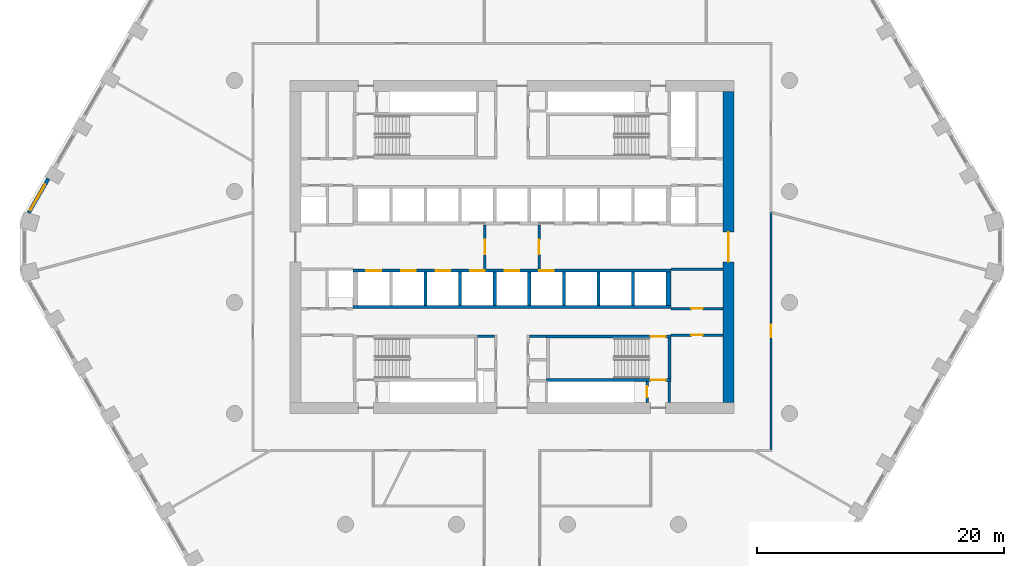
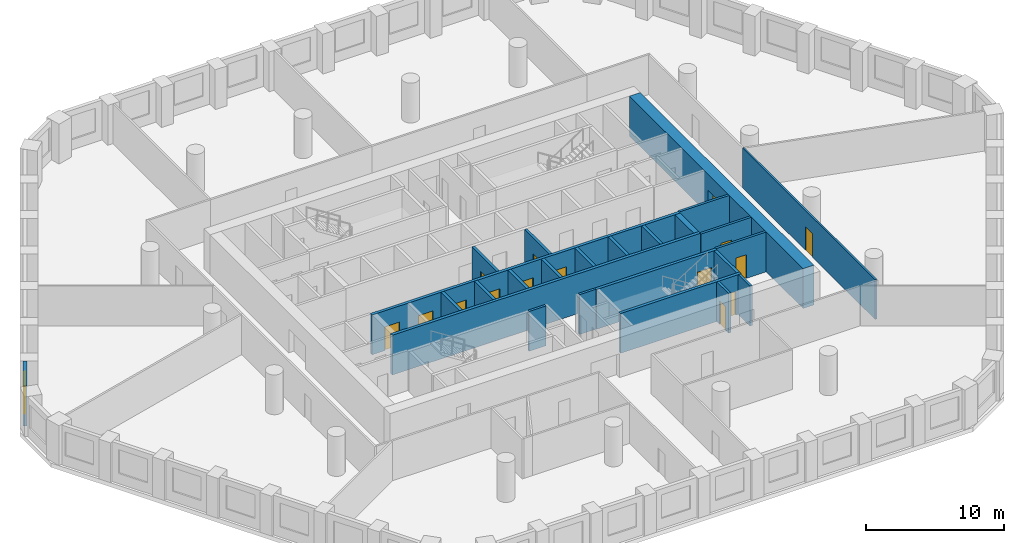
# One storey, part 4 of 9: 25 walls, 15 doors, 1 window, 16 openings.
"""IFC4 building model written with IfcOpenShell, lengths in metres."""

from ifc_helpers import new_model, si_unit, direction, frame, frame_2d, origin, place, context, subcontext, project, spatial, polyline, rectangle, outline, extrude, material, layer, layer_set, type_object, element, fill, save


model = new_model("IFC4")

# Units and contexts
model_context = context("Model", 3, precision=1e-05, world=origin(), true_north=direction((0.0, 1.0)))
body_context = subcontext(model_context, "Body", "Model", "MODEL_VIEW")
ifc_project = project(units=[si_unit("LENGTHUNIT", "METRE"), si_unit("AREAUNIT", "SQUARE_METRE"), si_unit("VOLUMEUNIT", "CUBIC_METRE"), si_unit("PLANEANGLEUNIT", "RADIAN"), si_unit("MASSUNIT", "GRAM", prefix="KILO")], contexts=[model_context])

# Site, building, storey
site_placement = place(None, origin())
site = spatial("IfcSite", under=ifc_project, at=site_placement, CompositionType="ELEMENT")
building_placement = place(site_placement, origin())
building = spatial("IfcBuilding", under=site, at=building_placement, Name="Dhurran Vertical Campus", CompositionType="ELEMENT")
storey_placement = place(building_placement, frame((0.0, 0.0, 120.300048828125)))
storey = spatial("IfcBuildingStorey", under=building, at=storey_placement, Name="L29", CompositionType="ELEMENT", Elevation=120.300048828125)

# Wall, opening, window
ifc_material_1 = material(Name="Precast concrete C50/60", Category="concrete")
ifc_layer_1 = layer(ifc_material_1, 0.300048828125)
ifc_layer_set_1 = layer_set([ifc_layer_1], Name="Precast concrete C50/60")
wall_type_1 = type_object("IfcWallType", Name="Precast spandrel wall 300", PredefinedType="SOLIDWALL", material=ifc_layer_set_1)
wall_1_placement = place(storey_placement, frame((-37.59423828125, 5.538818359375, 0.0), z_axis=(0.0, 0.0, 1.0), x_axis=(-0.500004907028, -0.866022570692, 0.0)))
wall_1 = element("IfcWall", 1, at=wall_1_placement, inside=storey, type_object=wall_type_1, Name="EW1 L29.42", PredefinedType="SOLIDWALL", context=body_context, shape_type="SweptSolid", body=[
    extrude(rectangle(XDim=3.1923828125, YDim=0.300048828125, at=frame_2d((1.59619140625, 0.0))), origin(), (0.0, 0.0, 1.0), 3.52490234375),
])
opening_1_placement = place(wall_1_placement, frame((0.549560546875, 0.0, 0.89990234375)))
opening_1 = element("IfcOpeningElement", 2, at=opening_1_placement, cuts=wall_1, Name="Opening WT1", PredefinedType="OPENING", context=body_context, shape_type="SweptSolid", body=[
    extrude(rectangle(XDim=2.39990234375, YDim=2.10009765625, at=frame_2d((1.199951171875, 1.050048828125))), frame((0.0, 0.159912109375, 0.0), z_axis=(0.0, -1.0, 0.0), x_axis=(1.0, 0.0, 0.0)), (0.0, 0.0, 1.0), 0.320068359375),
])
ifc_material_2 = material(Name="Aluminium frame with solar-control glass", Category="aluminium")
window_type = type_object("IfcWindowType", Name="Punched window 2400 x 2100", PartitioningType="SINGLE_PANEL", PredefinedType="WINDOW", material=ifc_material_2)
window_placement = place(opening_1_placement, origin())
window = element("IfcWindow", 3, at=window_placement, inside=storey, type_object=window_type, Name="WT1 L29.42", OverallHeight=2.10009765625, OverallWidth=2.39990234375, PartitioningType="SINGLE_PANEL", PredefinedType="WINDOW", context=body_context, shape_type="SweptSolid", body=[
    extrude(rectangle(XDim=2.39990234375, YDim=2.10009765625, at=frame_2d((1.199951171875, 1.050048828125))), frame((0.0, 0.030029296875, 0.0), z_axis=(0.0, -1.0, 0.0), x_axis=(1.0, 0.0, 0.0)), (0.0, 0.0, 1.0), 0.06005859375),
])
fill(opening_1, window)

# Wall, opening, door
ifc_material_3 = material(Name="Concrete C60/75", Category="concrete")
ifc_layer_2 = layer(ifc_material_3, 0.89990234375)
ifc_layer_set_2 = layer_set([ifc_layer_2], Name="Concrete C60/75")
wall_type_2 = type_object("IfcWallType", Name="co-CORE-WALL-C0-900", PredefinedType="SHEAR", material=ifc_layer_set_2)
wall_2_placement = place(storey_placement, frame((17.550048828125, -12.60009765625, 0.0), z_axis=(0.0, 0.0, 1.0), x_axis=(0.0, 1.0, 0.0)))
wall_2 = element("IfcWall", 4, at=wall_2_placement, inside=storey, type_object=wall_type_2, Name="Core wall E L29", PredefinedType="SHEAR", context=body_context, shape_type="SweptSolid", body=[
    extrude(rectangle(XDim=25.2001953125, YDim=0.89990234375, at=frame_2d((12.60009765625, 0.0))), origin(), (0.0, 0.0, 1.0), 3.52490234375),
])
opening_2_placement = place(wall_2_placement, frame((11.39990234375, 0.0, 0.0)))
opening_2 = element("IfcOpeningElement", 5, at=opening_2_placement, cuts=wall_2, Name="Opening CL2", PredefinedType="OPENING", context=body_context, shape_type="SweptSolid", body=[
    extrude(rectangle(XDim=2.39990234375, YDim=2.10009765625, at=frame_2d((1.199951171875, 1.050048828125))), frame((0.0, 0.4599609375, 0.0), z_axis=(0.0, -1.0, 0.0), x_axis=(1.0, 0.0, 0.0)), (0.0, 0.0, 1.0), 0.919921875),
])
ifc_material_4 = material(Name="Fire-rated glazed door set")
door_type_1 = type_object("IfcDoorType", Name="co-D-LOBBY 2400x2100", OperationType="DOUBLE_DOOR_DOUBLE_SWING", PredefinedType="DOOR", material=ifc_material_4)
door_1_placement = place(opening_2_placement, origin())
door_1 = element("IfcDoor", 6, at=door_1_placement, inside=storey, type_object=door_type_1, Name="Lift lobby door E L29", OperationType="DOUBLE_DOOR_DOUBLE_SWING", OverallHeight=2.10009765625, OverallWidth=2.39990234375, PredefinedType="DOOR", context=body_context, shape_type="SweptSolid", body=[
    extrude(rectangle(XDim=2.39990234375, YDim=2.10009765625, at=frame_2d((1.199951171875, 1.050048828125))), frame((0.0, 0.02490234375, 0.0), z_axis=(0.0, -1.0, 0.0), x_axis=(1.0, 0.0, 0.0)), (0.0, 0.0, 1.0), 0.050048828125),
])
fill(opening_2, door_1)

ifc_material_5 = material(Name="Fire-rated masonry blockwork", Category="masonry")
ifc_layer_3 = layer(ifc_material_5, 0.199951171875)
ifc_layer_set_3 = layer_set([ifc_layer_3], Name="Fire-rated masonry blockwork")
wall_type_3 = type_object("IfcWallType", Name="co-FIRE-PARTITION-200", PredefinedType="PARTITIONING", material=ifc_layer_set_3)
wall_3_placement = place(storey_placement, frame((-2.199951171875, -1.800048828125, 0.0), z_axis=(0.0, 0.0, 1.0), x_axis=(0.0, 1.0, 0.0)))
wall_3 = element("IfcWall", 7, at=wall_3_placement, inside=storey, type_object=wall_type_3, Name="Firefighting lobby wall W L29", PredefinedType="PARTITIONING", context=body_context, shape_type="SweptSolid", body=[
    extrude(rectangle(XDim=3.60009765625, YDim=0.199951171875, at=frame_2d((1.800048828125, 0.0))), origin(), (0.0, 0.0, 1.0), 3.52490234375),
])
opening_3_placement = place(wall_3_placement, frame((1.199951171875, 0.0, 0.0)))
opening_3 = element("IfcOpeningElement", 8, at=opening_3_placement, cuts=wall_3, Name="Opening FL1", PredefinedType="OPENING", context=body_context, shape_type="SweptSolid", body=[
    extrude(rectangle(XDim=1.199951171875, YDim=2.10009765625, at=frame_2d((0.60009765625, 1.050048828125))), frame((0.0, 0.10986328125, 0.0), z_axis=(0.0, -1.0, 0.0), x_axis=(1.0, 0.0, 0.0)), (0.0, 0.0, 1.0), 0.219970703125),
])
ifc_material_6 = material(Name="Fire-rated steel door set", Category="steel")
door_type_2 = type_object("IfcDoorType", Name="co-D-FFLOBBY 1200x2100", OperationType="SINGLE_SWING_LEFT", PredefinedType="DOOR", material=ifc_material_6)
door_2_placement = place(opening_3_placement, origin())
door_2 = element("IfcDoor", 9, at=door_2_placement, inside=storey, type_object=door_type_2, Name="Firefighting lobby door W L29", OperationType="SINGLE_SWING_LEFT", OverallHeight=2.10009765625, OverallWidth=1.199951171875, PredefinedType="DOOR", context=body_context, shape_type="SweptSolid", body=[
    extrude(rectangle(XDim=1.199951171875, YDim=2.10009765625, at=frame_2d((0.60009765625, 1.050048828125))), frame((0.0, 0.02490234375, 0.0), z_axis=(0.0, -1.0, 0.0), x_axis=(1.0, 0.0, 0.0)), (0.0, 0.0, 1.0), 0.050048828125),
])
fill(opening_3, door_2)

wall_4_placement = place(storey_placement, frame((2.199951171875, -1.800048828125, 0.0), z_axis=(0.0, 0.0, 1.0), x_axis=(0.0, 1.0, 0.0)))
wall_4 = element("IfcWall", 10, at=wall_4_placement, inside=storey, type_object=wall_type_3, Name="Firefighting lobby wall E L29", PredefinedType="PARTITIONING", context=body_context, shape_type="SweptSolid", body=[
    extrude(rectangle(XDim=3.60009765625, YDim=0.199951171875, at=frame_2d((1.800048828125, 0.0))), origin(), (0.0, 0.0, 1.0), 3.52490234375),
])
opening_4_placement = place(wall_4_placement, frame((1.199951171875, 0.0, 0.0)))
opening_4 = element("IfcOpeningElement", 11, at=opening_4_placement, cuts=wall_4, Name="Opening FL2", PredefinedType="OPENING", context=body_context, shape_type="SweptSolid", body=[
    extrude(rectangle(XDim=1.199951171875, YDim=2.10009765625, at=frame_2d((0.60009765625, 1.050048828125))), frame((0.0, 0.10986328125, 0.0), z_axis=(0.0, -1.0, 0.0), x_axis=(1.0, 0.0, 0.0)), (0.0, 0.0, 1.0), 0.219970703125),
])
door_3_placement = place(opening_4_placement, origin())
door_3 = element("IfcDoor", 12, at=door_3_placement, inside=storey, type_object=door_type_2, Name="Firefighting lobby door E L29", OperationType="SINGLE_SWING_LEFT", OverallHeight=2.10009765625, OverallWidth=1.199951171875, PredefinedType="DOOR", context=body_context, shape_type="SweptSolid", body=[
    extrude(rectangle(XDim=1.199951171875, YDim=2.10009765625, at=frame_2d((0.60009765625, 1.050048828125))), frame((0.0, 0.02490234375, 0.0), z_axis=(0.0, -1.0, 0.0), x_axis=(1.0, 0.0, 0.0)), (0.0, 0.0, 1.0), 0.050048828125),
])
fill(opening_4, door_3)

# Walls
for number, where, z_axis, x_axis, name in (
    (13, (-2.800048828125, -7.25, 0.0), (0.0, 0.0, 1.0), (1.0, 0.0, 0.0), "Core partition sl-SW-S L29"),
    (14, (1.39990234375, -7.25, 0.0), (0.0, 0.0, 1.0), (1.0, 0.0, 0.0), "Core partition sl-SE-S L29"),
):
    element("IfcWall", number, at=place(storey_placement, frame(where, z_axis=z_axis, x_axis=x_axis)), inside=storey, type_object=wall_type_3, Name=name, PredefinedType="PARTITIONING", context=body_context, shape_type="SweptSolid", body=[
        extrude(rectangle(XDim=1.400146484375, YDim=0.199951171875, at=frame_2d((0.7001953125, 0.0))), origin(), (0.0, 0.0, 1.0), 3.52490234375),
    ])
wall_5_placement = place(storey_placement, frame((12.75, -12.60009765625, 0.0), z_axis=(0.0, 0.0, 1.0), x_axis=(0.0, 1.0, 0.0)))
element("IfcWall", 15, at=wall_5_placement, inside=storey, type_object=wall_type_3, Name="Core partition pass-ST4-o L29", PredefinedType="PARTITIONING", context=body_context, shape_type="SweptSolid", body=[
    extrude(rectangle(XDim=1.7001953125, YDim=0.199951171875, at=frame_2d((0.85009765625, 0.0))), origin(), (0.0, 0.0, 1.0), 3.52490234375),
])

# Wall, opening, door
wall_6_placement = place(storey_placement, frame((10.949951171875, -12.60009765625, 0.0), z_axis=(0.0, 0.0, 1.0), x_axis=(0.0, 1.0, 0.0)))
wall_6 = element("IfcWall", 16, at=wall_6_placement, inside=storey, type_object=wall_type_3, Name="Core partition pass-ST4-i L29", PredefinedType="PARTITIONING", context=body_context, shape_type="SweptSolid", body=[
    extrude(rectangle(XDim=1.7001953125, YDim=0.199951171875, at=frame_2d((0.85009765625, 0.0))), origin(), (0.0, 0.0, 1.0), 3.52490234375),
])
opening_5_placement = place(wall_6_placement, frame((0.39990234375, 0.0, 0.0)))
opening_5 = element("IfcOpeningElement", 17, at=opening_5_placement, cuts=wall_6, Name="Opening T08-C12", PredefinedType="OPENING", context=body_context, shape_type="SweptSolid", body=[
    extrude(rectangle(XDim=0.89990234375, YDim=2.10009765625, at=frame_2d((0.449951171875, 1.050048828125))), frame((0.0, 0.10986328125, 0.0), z_axis=(0.0, -1.0, 0.0), x_axis=(1.0, 0.0, 0.0)), (0.0, 0.0, 1.0), 0.219970703125),
])
ifc_material_7 = material(Name="Fire-rated timber door set", Category="wood")
door_type_3 = type_object("IfcDoorType", Name="co-D-ROOM 900x2100", OperationType="SINGLE_SWING_LEFT", PredefinedType="DOOR", material=ifc_material_7)
door_4_placement = place(opening_5_placement, origin())
door_4 = element("IfcDoor", 18, at=door_4_placement, inside=storey, type_object=door_type_3, Name="Riser room door L29", OperationType="SINGLE_SWING_LEFT", OverallHeight=2.10009765625, OverallWidth=0.89990234375, PredefinedType="DOOR", context=body_context, shape_type="SweptSolid", body=[
    extrude(rectangle(XDim=0.89990234375, YDim=2.10009765625, at=frame_2d((0.449951171875, 1.050048828125))), frame((0.0, 0.02490234375, 0.0), z_axis=(0.0, -1.0, 0.0), x_axis=(1.0, 0.0, 0.0)), (0.0, 0.0, 1.0), 0.050048828125),
])
fill(opening_5, door_4)

wall_7_placement = place(storey_placement, frame((12.89990234375, -7.14990234375, 0.0), z_axis=(0.0, 0.0, 1.0), x_axis=(1.0, 0.0, 0.0)))
wall_7 = element("IfcWall", 19, at=wall_7_placement, inside=storey, type_object=wall_type_3, Name="Core partition en-SE-w L29", PredefinedType="PARTITIONING", context=body_context, shape_type="SweptSolid", body=[
    extrude(rectangle(XDim=4.2001953125, YDim=0.199951171875, at=frame_2d((2.10009765625, 0.0))), origin(), (0.0, 0.0, 1.0), 3.52490234375),
])
opening_6_placement = place(wall_7_placement, frame((1.64990234375, 0.0, 0.0)))
opening_6 = element("IfcOpeningElement", 20, at=opening_6_placement, cuts=wall_7, Name="Opening T08-C24", PredefinedType="OPENING", context=body_context, shape_type="SweptSolid", body=[
    extrude(rectangle(XDim=0.89990234375, YDim=2.10009765625, at=frame_2d((0.449951171875, 1.050048828125))), frame((0.0, 0.10986328125, 0.0), z_axis=(0.0, -1.0, 0.0), x_axis=(1.0, 0.0, 0.0)), (0.0, 0.0, 1.0), 0.219970703125),
])
door_5_placement = place(opening_6_placement, origin())
door_5 = element("IfcDoor", 21, at=door_5_placement, inside=storey, type_object=door_type_3, Name="Waste room door L29", OperationType="SINGLE_SWING_LEFT", OverallHeight=2.10009765625, OverallWidth=0.89990234375, PredefinedType="DOOR", context=body_context, shape_type="SweptSolid", body=[
    extrude(rectangle(XDim=0.89990234375, YDim=2.10009765625, at=frame_2d((0.449951171875, 1.050048828125))), frame((0.0, 0.02490234375, 0.0), z_axis=(0.0, -1.0, 0.0), x_axis=(1.0, 0.0, 0.0)), (0.0, 0.0, 1.0), 0.050048828125),
])
fill(opening_6, door_5)

wall_8_placement = place(storey_placement, frame((12.89990234375, -5.0, 0.0), z_axis=(0.0, 0.0, 1.0), x_axis=(1.0, 0.0, 0.0)))
wall_8 = element("IfcWall", 22, at=wall_8_placement, inside=storey, type_object=wall_type_3, Name="Core partition es-SE-w L29", PredefinedType="PARTITIONING", context=body_context, shape_type="SweptSolid", body=[
    extrude(rectangle(XDim=4.2001953125, YDim=0.199951171875, at=frame_2d((2.10009765625, 0.0))), origin(), (0.0, 0.0, 1.0), 3.52490234375),
])
opening_7_placement = place(wall_8_placement, frame((1.64990234375, 0.0, 0.0)))
opening_7 = element("IfcOpeningElement", 23, at=opening_7_placement, cuts=wall_8, Name="Opening T08-C25", PredefinedType="OPENING", context=body_context, shape_type="SweptSolid", body=[
    extrude(rectangle(XDim=0.89990234375, YDim=2.10009765625, at=frame_2d((0.449951171875, 1.050048828125))), frame((0.0, 0.10986328125, 0.0), z_axis=(0.0, -1.0, 0.0), x_axis=(1.0, 0.0, 0.0)), (0.0, 0.0, 1.0), 0.219970703125),
])
door_6_placement = place(opening_7_placement, origin())
door_6 = element("IfcDoor", 24, at=door_6_placement, inside=storey, type_object=door_type_3, Name="Store door L29", OperationType="SINGLE_SWING_LEFT", OverallHeight=2.10009765625, OverallWidth=0.89990234375, PredefinedType="DOOR", context=body_context, shape_type="SweptSolid", body=[
    extrude(rectangle(XDim=0.89990234375, YDim=2.10009765625, at=frame_2d((0.449951171875, 1.050048828125))), frame((0.0, 0.02490234375, 0.0), z_axis=(0.0, -1.0, 0.0), x_axis=(1.0, 0.0, 0.0)), (0.0, 0.0, 1.0), 0.050048828125),
])
fill(opening_7, door_6)

# Wall
wall_9_placement = place(storey_placement, frame((12.89990234375, -1.800048828125, 0.0), z_axis=(0.0, 0.0, 1.0), x_axis=(1.0, 0.0, 0.0)))
element("IfcWall", 25, at=wall_9_placement, inside=storey, type_object=wall_type_3, Name="Core partition es-SE-l L29", PredefinedType="PARTITIONING", context=body_context, shape_type="SweptSolid", body=[
    extrude(rectangle(XDim=4.2001953125, YDim=0.199951171875, at=frame_2d((2.10009765625, 0.0))), origin(), (0.0, 0.0, 1.0), 3.52490234375),
])

# Wall, openings, doors
ifc_material_8 = material(Name="Concrete C50/60", Category="concrete")
ifc_layer_4 = layer(ifc_material_8, 0.25)
ifc_layer_set_4 = layer_set([ifc_layer_4], Name="Concrete C50/60")
wall_type_4 = type_object("IfcWallType", Name="co-SHAFT-FRONT-250", PredefinedType="SHEAR", material=ifc_layer_set_4)
wall_10_placement = place(storey_placement, frame((-12.89990234375, -1.925048828125, 0.0), z_axis=(0.0, 0.0, 1.0), x_axis=(1.0, 0.0, 0.0)))
wall_10 = element("IfcWall", 26, at=wall_10_placement, inside=storey, type_object=wall_type_4, Name="Lift landing wall S L29", PredefinedType="SHEAR", context=body_context, shape_type="SweptSolid", body=[
    extrude(rectangle(XDim=25.7998046875, YDim=0.25, at=frame_2d((12.89990234375, 0.0))), origin(), (0.0, 0.0, 1.0), 3.52490234375),
])
opening_8_placement = place(wall_10_placement, frame((1.10009765625, 0.0, 0.0)))
opening_8 = element("IfcOpeningElement", 27, at=opening_8_placement, cuts=wall_10, Name="Opening LD", PredefinedType="OPENING", context=body_context, shape_type="SweptSolid", body=[
    extrude(rectangle(XDim=1.199951171875, YDim=2.10009765625, at=frame_2d((0.60009765625, 1.050048828125))), frame((0.0, 0.135009765625, 0.0), z_axis=(0.0, -1.0, 0.0), x_axis=(1.0, 0.0, 0.0)), (0.0, 0.0, 1.0), 0.27001953125),
])
opening_9_placement = place(wall_10_placement, frame((3.89990234375, 0.0, 0.0)))
opening_9 = element("IfcOpeningElement", 28, at=opening_9_placement, cuts=wall_10, Name="Opening LD", PredefinedType="OPENING", context=body_context, shape_type="SweptSolid", body=[
    extrude(rectangle(XDim=1.199951171875, YDim=2.10009765625, at=frame_2d((0.60009765625, 1.050048828125))), frame((0.0, 0.135009765625, 0.0), z_axis=(0.0, -1.0, 0.0), x_axis=(1.0, 0.0, 0.0)), (0.0, 0.0, 1.0), 0.27001953125),
])
opening_10_placement = place(wall_10_placement, frame((6.699951171875, 0.0, 0.0)))
opening_10 = element("IfcOpeningElement", 29, at=opening_10_placement, cuts=wall_10, Name="Opening LD", PredefinedType="OPENING", context=body_context, shape_type="SweptSolid", body=[
    extrude(rectangle(XDim=1.199951171875, YDim=2.10009765625, at=frame_2d((0.60009765625, 1.050048828125))), frame((0.0, 0.135009765625, 0.0), z_axis=(0.0, -1.0, 0.0), x_axis=(1.0, 0.0, 0.0)), (0.0, 0.0, 1.0), 0.27001953125),
])
opening_11_placement = place(wall_10_placement, frame((9.5, 0.0, 0.0)))
opening_11 = element("IfcOpeningElement", 30, at=opening_11_placement, cuts=wall_10, Name="Opening LD", PredefinedType="OPENING", context=body_context, shape_type="SweptSolid", body=[
    extrude(rectangle(XDim=1.199951171875, YDim=2.10009765625, at=frame_2d((0.60009765625, 1.050048828125))), frame((0.0, 0.135009765625, 0.0), z_axis=(0.0, -1.0, 0.0), x_axis=(1.0, 0.0, 0.0)), (0.0, 0.0, 1.0), 0.27001953125),
])
opening_12_placement = place(wall_10_placement, frame((12.300048828125, 0.0, 0.0)))
opening_12 = element("IfcOpeningElement", 31, at=opening_12_placement, cuts=wall_10, Name="Opening LD", PredefinedType="OPENING", context=body_context, shape_type="SweptSolid", body=[
    extrude(rectangle(XDim=1.199951171875, YDim=2.10009765625, at=frame_2d((0.60009765625, 1.050048828125))), frame((0.0, 0.135009765625, 0.0), z_axis=(0.0, -1.0, 0.0), x_axis=(1.0, 0.0, 0.0)), (0.0, 0.0, 1.0), 0.27001953125),
])
opening_13_placement = place(wall_10_placement, frame((15.10009765625, 0.0, 0.0)))
opening_13 = element("IfcOpeningElement", 32, at=opening_13_placement, cuts=wall_10, Name="Opening LD", PredefinedType="OPENING", context=body_context, shape_type="SweptSolid", body=[
    extrude(rectangle(XDim=1.199951171875, YDim=2.10009765625, at=frame_2d((0.60009765625, 1.050048828125))), frame((0.0, 0.135009765625, 0.0), z_axis=(0.0, -1.0, 0.0), x_axis=(1.0, 0.0, 0.0)), (0.0, 0.0, 1.0), 0.27001953125),
])
ifc_material_9 = material(Name="Stainless steel landing door", Category="steel")
door_type_4 = type_object("IfcDoorType", Name="co-D-LANDING 1200x2100", OperationType="DOUBLE_DOOR_SLIDING", PredefinedType="DOOR", material=ifc_material_9)
door_7_placement = place(opening_8_placement, origin())
door_7 = element("IfcDoor", 33, at=door_7_placement, inside=storey, type_object=door_type_4, Name="Landing door LR5 L29", OperationType="DOUBLE_DOOR_SLIDING", OverallHeight=2.10009765625, OverallWidth=1.199951171875, PredefinedType="DOOR", context=body_context, shape_type="SweptSolid", body=[
    extrude(rectangle(XDim=1.199951171875, YDim=2.10009765625, at=frame_2d((0.60009765625, 1.050048828125))), frame((0.0, 0.02490234375, 0.0), z_axis=(0.0, -1.0, 0.0), x_axis=(1.0, 0.0, 0.0)), (0.0, 0.0, 1.0), 0.050048828125),
])
fill(opening_8, door_7)
door_8_placement = place(opening_9_placement, origin())
door_8 = element("IfcDoor", 34, at=door_8_placement, inside=storey, type_object=door_type_4, Name="Landing door LR6 L29", OperationType="DOUBLE_DOOR_SLIDING", OverallHeight=2.10009765625, OverallWidth=1.199951171875, PredefinedType="DOOR", context=body_context, shape_type="SweptSolid", body=[
    extrude(rectangle(XDim=1.199951171875, YDim=2.10009765625, at=frame_2d((0.60009765625, 1.050048828125))), frame((0.0, 0.02490234375, 0.0), z_axis=(0.0, -1.0, 0.0), x_axis=(1.0, 0.0, 0.0)), (0.0, 0.0, 1.0), 0.050048828125),
])
fill(opening_9, door_8)
door_9_placement = place(opening_10_placement, origin())
door_9 = element("IfcDoor", 35, at=door_9_placement, inside=storey, type_object=door_type_4, Name="Landing door LR7 L29", OperationType="DOUBLE_DOOR_SLIDING", OverallHeight=2.10009765625, OverallWidth=1.199951171875, PredefinedType="DOOR", context=body_context, shape_type="SweptSolid", body=[
    extrude(rectangle(XDim=1.199951171875, YDim=2.10009765625, at=frame_2d((0.60009765625, 1.050048828125))), frame((0.0, 0.02490234375, 0.0), z_axis=(0.0, -1.0, 0.0), x_axis=(1.0, 0.0, 0.0)), (0.0, 0.0, 1.0), 0.050048828125),
])
fill(opening_10, door_9)
door_10_placement = place(opening_11_placement, origin())
door_10 = element("IfcDoor", 36, at=door_10_placement, inside=storey, type_object=door_type_4, Name="Landing door LR8 L29", OperationType="DOUBLE_DOOR_SLIDING", OverallHeight=2.10009765625, OverallWidth=1.199951171875, PredefinedType="DOOR", context=body_context, shape_type="SweptSolid", body=[
    extrude(rectangle(XDim=1.199951171875, YDim=2.10009765625, at=frame_2d((0.60009765625, 1.050048828125))), frame((0.0, 0.02490234375, 0.0), z_axis=(0.0, -1.0, 0.0), x_axis=(1.0, 0.0, 0.0)), (0.0, 0.0, 1.0), 0.050048828125),
])
fill(opening_11, door_10)
door_11_placement = place(opening_12_placement, origin())
door_11 = element("IfcDoor", 37, at=door_11_placement, inside=storey, type_object=door_type_4, Name="Landing door FF2 L29", OperationType="DOUBLE_DOOR_SLIDING", OverallHeight=2.10009765625, OverallWidth=1.199951171875, PredefinedType="DOOR", context=body_context, shape_type="SweptSolid", body=[
    extrude(rectangle(XDim=1.199951171875, YDim=2.10009765625, at=frame_2d((0.60009765625, 1.050048828125))), frame((0.0, 0.02490234375, 0.0), z_axis=(0.0, -1.0, 0.0), x_axis=(1.0, 0.0, 0.0)), (0.0, 0.0, 1.0), 0.050048828125),
])
fill(opening_12, door_11)
door_12_placement = place(opening_13_placement, origin())
door_12 = element("IfcDoor", 38, at=door_12_placement, inside=storey, type_object=door_type_4, Name="Landing door SV1 L29", OperationType="DOUBLE_DOOR_SLIDING", OverallHeight=2.10009765625, OverallWidth=1.199951171875, PredefinedType="DOOR", context=body_context, shape_type="SweptSolid", body=[
    extrude(rectangle(XDim=1.199951171875, YDim=2.10009765625, at=frame_2d((0.60009765625, 1.050048828125))), frame((0.0, 0.02490234375, 0.0), z_axis=(0.0, -1.0, 0.0), x_axis=(1.0, 0.0, 0.0)), (0.0, 0.0, 1.0), 0.050048828125),
])
fill(opening_13, door_12)

# Walls
ifc_material_10 = material(Name="Concrete C50/60", Category="concrete")
ifc_layer_5 = layer(ifc_material_10, 0.25)
ifc_layer_set_5 = layer_set([ifc_layer_5], Name="Concrete C50/60")
wall_type_5 = type_object("IfcWallType", Name="co-SHAFT-MASS-250", PredefinedType="SHEAR", material=ifc_layer_set_5)
wall_11_placement = place(storey_placement, origin())
element("IfcWall", 39, at=wall_11_placement, inside=storey, type_object=wall_type_5, Name="Lift shaft wall S L29 1", PredefinedType="SHEAR", context=body_context, shape_type="SweptSolid", body=[
    extrude(outline(polyline([(-12.89990234375, -5.0), (12.89990234375, -5.0), (12.89990234375, -4.75), (-12.89990234375, -4.75), (-12.89990234375, -5.0)])), origin(), (0.0, 0.0, 1.0), 3.52490234375),
])
wall_12_placement = place(storey_placement, origin())
element("IfcWall", 40, at=wall_12_placement, inside=storey, type_object=wall_type_5, Name="Lift shaft wall S L29 4", PredefinedType="SHEAR", context=body_context, shape_type="SweptSolid", body=[
    extrude(outline(polyline([(-7.125, -4.75), (-6.875, -4.75), (-6.875, -2.050048828125), (-7.125, -2.050048828125), (-7.125, -4.75)])), origin(), (0.0, 0.0, 1.0), 3.52490234375),
])
wall_13_placement = place(storey_placement, origin())
element("IfcWall", 41, at=wall_13_placement, inside=storey, type_object=wall_type_5, Name="Lift shaft wall S L29 5", PredefinedType="SHEAR", context=body_context, shape_type="SweptSolid", body=[
    extrude(outline(polyline([(-4.324951171875, -4.75), (-4.074951171875, -4.75), (-4.074951171875, -2.050048828125), (-4.324951171875, -2.050048828125), (-4.324951171875, -4.75)])), origin(), (0.0, 0.0, 1.0), 3.52490234375),
])
wall_14_placement = place(storey_placement, origin())
element("IfcWall", 42, at=wall_14_placement, inside=storey, type_object=wall_type_5, Name="Lift shaft wall S L29 6", PredefinedType="SHEAR", context=body_context, shape_type="SweptSolid", body=[
    extrude(outline(polyline([(-1.52490234375, -4.75), (-1.27490234375, -4.75), (-1.27490234375, -2.050048828125), (-1.52490234375, -2.050048828125), (-1.52490234375, -4.75)])), origin(), (0.0, 0.0, 1.0), 3.52490234375),
])
wall_15_placement = place(storey_placement, origin())
element("IfcWall", 43, at=wall_15_placement, inside=storey, type_object=wall_type_5, Name="Lift shaft wall S L29 7", PredefinedType="SHEAR", context=body_context, shape_type="SweptSolid", body=[
    extrude(outline(polyline([(1.27490234375, -4.75), (1.52490234375, -4.75), (1.52490234375, -2.050048828125), (1.27490234375, -2.050048828125), (1.27490234375, -4.75)])), origin(), (0.0, 0.0, 1.0), 3.52490234375),
])
wall_16_placement = place(storey_placement, origin())
element("IfcWall", 44, at=wall_16_placement, inside=storey, type_object=wall_type_5, Name="Lift shaft wall S L29 8", PredefinedType="SHEAR", context=body_context, shape_type="SweptSolid", body=[
    extrude(outline(polyline([(4.074951171875, -4.75), (4.324951171875, -4.75), (4.324951171875, -2.050048828125), (4.074951171875, -2.050048828125), (4.074951171875, -4.75)])), origin(), (0.0, 0.0, 1.0), 3.52490234375),
])
wall_17_placement = place(storey_placement, origin())
element("IfcWall", 45, at=wall_17_placement, inside=storey, type_object=wall_type_5, Name="Lift shaft wall S L29 9", PredefinedType="SHEAR", context=body_context, shape_type="SweptSolid", body=[
    extrude(outline(polyline([(6.875, -4.75), (7.125, -4.75), (7.125, -2.050048828125), (6.875, -2.050048828125), (6.875, -4.75)])), origin(), (0.0, 0.0, 1.0), 3.52490234375),
])
wall_18_placement = place(storey_placement, origin())
element("IfcWall", 46, at=wall_18_placement, inside=storey, type_object=wall_type_5, Name="Lift shaft wall S L29 10", PredefinedType="SHEAR", context=body_context, shape_type="SweptSolid", body=[
    extrude(outline(polyline([(9.675048828125, -4.75), (9.925048828125, -4.75), (9.925048828125, -2.050048828125), (9.675048828125, -2.050048828125), (9.675048828125, -4.75)])), origin(), (0.0, 0.0, 1.0), 3.52490234375),
])
wall_19_placement = place(storey_placement, origin())
element("IfcWall", 47, at=wall_19_placement, inside=storey, type_object=wall_type_5, Name="Lift shaft wall S L29 11", PredefinedType="SHEAR", context=body_context, shape_type="SweptSolid", body=[
    extrude(outline(polyline([(12.47509765625, -4.75), (12.89990234375, -4.75), (12.89990234375, -2.050048828125), (12.47509765625, -2.050048828125), (12.47509765625, -4.75)])), origin(), (0.0, 0.0, 1.0), 3.52490234375),
])

# Wall, opening, door
ifc_material_11 = material(Name="Concrete C40/50", Category="concrete")
ifc_layer_6 = layer(ifc_material_11, 0.25)
ifc_layer_set_6 = layer_set([ifc_layer_6], Name="Concrete C40/50")
wall_type_6 = type_object("IfcWallType", Name="co-STAIR-WALL-250", PredefinedType="SHEAR", material=ifc_layer_set_6)
wall_20_placement = place(storey_placement, frame((2.800048828125, -10.77490234375, 0.0), z_axis=(0.0, 0.0, 1.0), x_axis=(1.0, 0.0, 0.0)))
wall_20 = element("IfcWall", 48, at=wall_20_placement, inside=storey, type_object=wall_type_6, Name="Stair ST4 enclosure wall L29", PredefinedType="SHEAR", context=body_context, shape_type="SweptSolid", body=[
    extrude(rectangle(XDim=10.099853515625, YDim=0.25, at=frame_2d((5.0498046875, 0.0))), origin(), (0.0, 0.0, 1.0), 3.52490234375),
])
opening_14_placement = place(wall_20_placement, frame((8.449951171875, 0.0, 0.0)))
opening_14 = element("IfcOpeningElement", 49, at=opening_14_placement, cuts=wall_20, Name="Opening XS4", PredefinedType="OPENING", context=body_context, shape_type="SweptSolid", body=[
    extrude(rectangle(XDim=1.199951171875, YDim=2.10009765625, at=frame_2d((0.60009765625, 1.050048828125))), frame((0.0, 0.135009765625, 0.0), z_axis=(0.0, -1.0, 0.0), x_axis=(1.0, 0.0, 0.0)), (0.0, 0.0, 1.0), 0.27001953125),
])
ifc_material_12 = material(Name="Fire-rated steel door set", Category="steel")
door_type_5 = type_object("IfcDoorType", Name="co-D-STAIR-EXIT 1200x2100", OperationType="SINGLE_SWING_RIGHT", PredefinedType="DOOR", material=ifc_material_12)
door_13_placement = place(opening_14_placement, origin())
door_13 = element("IfcDoor", 50, at=door_13_placement, inside=storey, type_object=door_type_5, Name="Stair ST4 discharge door L29", OperationType="SINGLE_SWING_RIGHT", OverallHeight=2.10009765625, OverallWidth=1.199951171875, PredefinedType="DOOR", context=body_context, shape_type="SweptSolid", body=[
    extrude(rectangle(XDim=1.199951171875, YDim=2.10009765625, at=frame_2d((0.60009765625, 1.050048828125))), frame((0.0, 0.02490234375, 0.0), z_axis=(0.0, -1.0, 0.0), x_axis=(1.0, 0.0, 0.0)), (0.0, 0.0, 1.0), 0.050048828125),
])
fill(opening_14, door_13)

wall_21_placement = place(storey_placement, frame((2.800048828125, -7.27490234375, 0.0), z_axis=(0.0, 0.0, 1.0), x_axis=(1.0, 0.0, 0.0)))
wall_21 = element("IfcWall", 51, at=wall_21_placement, inside=storey, type_object=wall_type_6, Name="Stair ST4 enclosure wall L29", PredefinedType="SHEAR", context=body_context, shape_type="SweptSolid", body=[
    extrude(rectangle(XDim=10.099853515625, YDim=0.25, at=frame_2d((5.0498046875, 0.0))), origin(), (0.0, 0.0, 1.0), 3.52490234375),
])
opening_15_placement = place(wall_21_placement, frame((8.449951171875, 0.0, 0.0)))
opening_15 = element("IfcOpeningElement", 52, at=opening_15_placement, cuts=wall_21, Name="Opening SD4", PredefinedType="OPENING", context=body_context, shape_type="SweptSolid", body=[
    extrude(rectangle(XDim=1.199951171875, YDim=2.10009765625, at=frame_2d((0.60009765625, 1.050048828125))), frame((0.0, 0.135009765625, 0.0), z_axis=(0.0, -1.0, 0.0), x_axis=(1.0, 0.0, 0.0)), (0.0, 0.0, 1.0), 0.27001953125),
])
ifc_material_13 = material(Name="Fire-rated steel door set", Category="steel")
door_type_6 = type_object("IfcDoorType", Name="co-D-STAIR 1200x2100", OperationType="SINGLE_SWING_LEFT", PredefinedType="DOOR", material=ifc_material_13)
door_14_placement = place(opening_15_placement, origin())
door_14 = element("IfcDoor", 53, at=door_14_placement, inside=storey, type_object=door_type_6, Name="Stair ST4 door L29", OperationType="SINGLE_SWING_LEFT", OverallHeight=2.10009765625, OverallWidth=1.199951171875, PredefinedType="DOOR", context=body_context, shape_type="SweptSolid", body=[
    extrude(rectangle(XDim=1.199951171875, YDim=2.10009765625, at=frame_2d((0.60009765625, 1.050048828125))), frame((0.0, 0.02490234375, 0.0), z_axis=(0.0, -1.0, 0.0), x_axis=(1.0, 0.0, 0.0)), (0.0, 0.0, 1.0), 0.050048828125),
])
fill(opening_15, door_14)

# Wall
wall_22_placement = place(storey_placement, frame((12.77490234375, -10.64990234375, 0.0), z_axis=(0.0, 0.0, 1.0), x_axis=(0.0, 1.0, 0.0)))
element("IfcWall", 54, at=wall_22_placement, inside=storey, type_object=wall_type_6, Name="Stair ST4 enclosure wall L29", PredefinedType="SHEAR", context=body_context, shape_type="SweptSolid", body=[
    extrude(rectangle(XDim=3.25, YDim=0.25, at=frame_2d((1.625, 0.0))), origin(), (0.0, 0.0, 1.0), 3.52490234375),
])

# Wall, opening, door
ifc_material_14 = material(Name="Gypsum board corridor wall on steel studs", Category="steel")
ifc_layer_7 = layer(ifc_material_14, 0.14990234375)
ifc_layer_set_7 = layer_set([ifc_layer_7], Name="Gypsum board corridor wall on steel studs")
wall_type_7 = type_object("IfcWallType", Name="fl-CW-150 corridor wall", PredefinedType="PARTITIONING", material=ifc_layer_set_7)
wall_23_placement = place(storey_placement, frame((21.0, -16.425048828125, 0.0), z_axis=(0.0, 0.0, 1.0), x_axis=(0.0, 1.0, 0.0)))
wall_23 = element("IfcWall", 55, at=wall_23_placement, inside=storey, type_object=wall_type_7, Name="Partition 29-32", PredefinedType="PARTITIONING", context=body_context, shape_type="SweptSolid", body=[
    extrude(rectangle(XDim=19.238037109375, YDim=0.14990234375, at=frame_2d((9.619140625, 0.0))), origin(), (0.0, 0.0, 1.0), 3.52490234375),
])
opening_16_placement = place(wall_23_placement, frame((9.118896484375, 0.0, 0.0)))
opening_16 = element("IfcOpeningElement", 56, at=opening_16_placement, cuts=wall_23, Name="Opening T08.12", PredefinedType="OPENING", context=body_context, shape_type="SweptSolid", body=[
    extrude(rectangle(XDim=1.0, YDim=2.10009765625, at=frame_2d((0.5, 1.050048828125))), frame((0.0, 0.0849609375, 0.0), z_axis=(0.0, -1.0, 0.0), x_axis=(1.0, 0.0, 0.0)), (0.0, 0.0, 1.0), 0.169921875),
])
ifc_material_15 = material(Name="Solid-core timber door set, fire-rated", Category="wood")
door_type_7 = type_object("IfcDoorType", Name="fl-D-1000x2100", OperationType="SINGLE_SWING_LEFT", PredefinedType="DOOR", material=ifc_material_15)
door_15_placement = place(opening_16_placement, origin())
door_15 = element("IfcDoor", 57, at=door_15_placement, inside=storey, type_object=door_type_7, Name="Door 29.12", OperationType="SINGLE_SWING_RIGHT", OverallHeight=2.10009765625, OverallWidth=1.0, PredefinedType="DOOR", context=body_context, shape_type="SweptSolid", body=[
    extrude(rectangle(XDim=1.0, YDim=2.10009765625, at=frame_2d((0.5, 1.050048828125))), frame((0.0, 0.02490234375, 0.0), z_axis=(0.0, -1.0, 0.0), x_axis=(1.0, 0.0, 0.0)), (0.0, 0.0, 1.0), 0.050048828125),
])
fill(opening_16, door_15)

save(model, "model.ifc")
